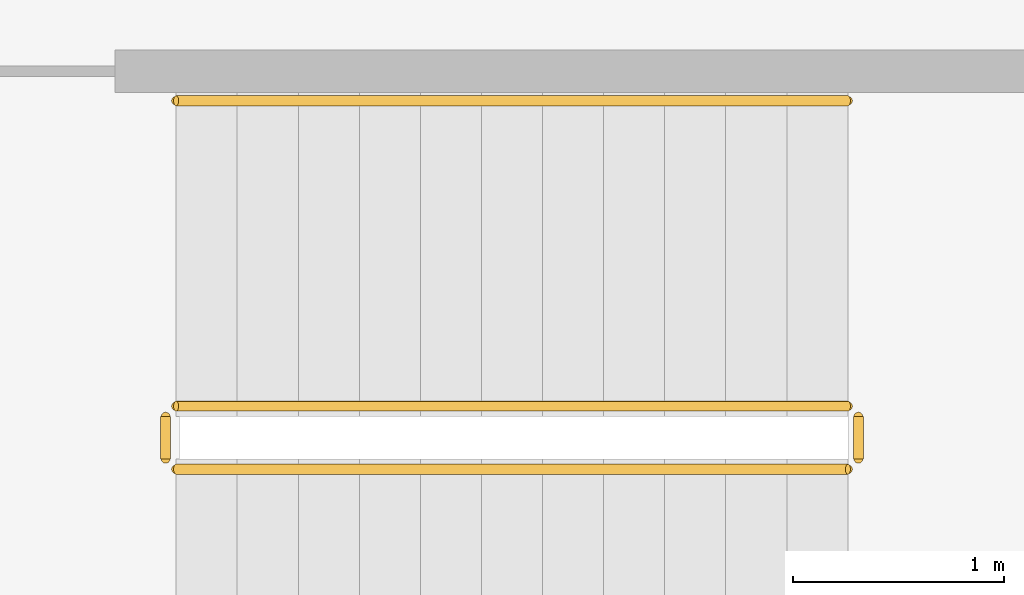
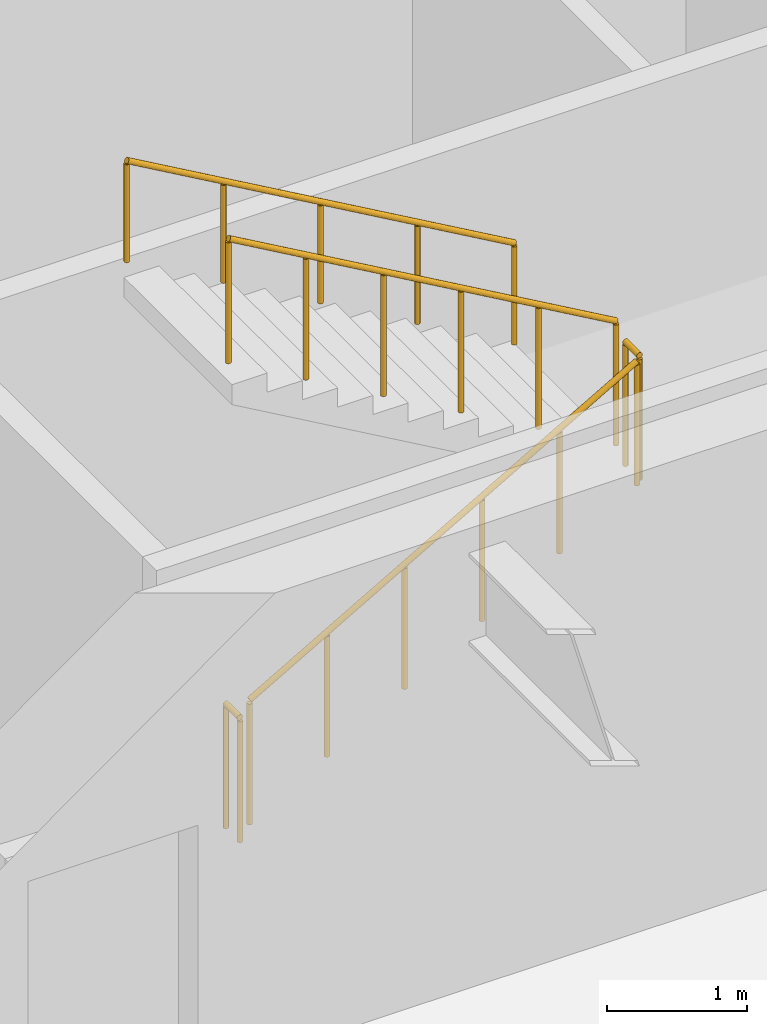
# One storey, part 19 of 20: 5 railings.
"""IFC4 building model written with IfcOpenShell, lengths in metres."""

import ifcopenshell
import ifcopenshell.guid

model = None  # the IFC model being written
_history = None  # IfcOwnerHistory: only IFC2X3 demands one
_inside = {}  # id of a spatial element -> (the spatial element, [elements in it])
_under = {}  # id of a project, library or spatial element -> (it, [spatial elements below it])
_declared = {}  # id of a project -> (the project, [libraries it declares])
_typed = {}  # id of a type object -> (the type object, [elements of that type])
_made_of = {}  # id of a material, layer set ... -> (it, [elements and type objects made of it])


def new_model(schema):
    """Start an empty IFC model of exactly this schema.

    Asked for "IFC4X3", IfcOpenShell would pick the latest addendum, in which some entities
    have other attributes; the version numbers below select the first issue.
    IFC2X3 requires an IfcOwnerHistory on every rooted entity: one is made here for all.
    """
    global model, _history
    if schema == "IFC4X3":
        model = ifcopenshell.file(schema_version=(4, 3, 0, 0))
    else:
        model = ifcopenshell.file(schema=schema)
    _inside.clear()
    _under.clear()
    _declared.clear()
    _typed.clear()
    _made_of.clear()
    _history = None
    if model.schema == "IFC2X3":
        org = make("IfcOrganization", Name="unknown")
        user = make(
            "IfcPersonAndOrganization",
            ThePerson=make("IfcPerson", FamilyName="unknown"),
            TheOrganization=org,
        )
        app = make(
            "IfcApplication",
            ApplicationDeveloper=org,
            Version="unknown",
            ApplicationFullName="unknown",
            ApplicationIdentifier="unknown",
        )
        _history = make(
            "IfcOwnerHistory",
            OwningUser=user,
            OwningApplication=app,
            ChangeAction="ADDED",
            CreationDate=0,
        )
    return model


def make(cls, **values):
    """One entity of the class cls with the attributes given. An attribute that is None is left unset."""
    return model.create_entity(
        cls, **{name: value for name, value in values.items() if value is not None}
    )


def rooted(cls, **values):
    """An entity with a GlobalId (a new one), such as an element, a storey or a relation."""
    return make(cls, GlobalId=ifcopenshell.guid.new(), OwnerHistory=_history, **values)


def si_unit(unit_type, name, prefix=None):
    """IfcSIUnit, for example si_unit("LENGTHUNIT", "METRE", prefix="MILLI")."""
    return make("IfcSIUnit", UnitType=unit_type, Prefix=prefix, Name=name)


def assignment(units):
    """IfcUnitAssignment: the units of a project."""
    return None if units is None else make("IfcUnitAssignment", Units=units)


def point(xyz):
    """IfcCartesianPoint."""
    return None if xyz is None else make("IfcCartesianPoint", Coordinates=xyz)


def direction(xyz):
    """IfcDirection."""
    return None if xyz is None else make("IfcDirection", DirectionRatios=xyz)


def frame(location, z_axis=None, x_axis=None):
    """IfcAxis2Placement3D, a coordinate frame: its origin and axes. An axis left out is left unset."""
    return make(
        "IfcAxis2Placement3D",
        Location=point(location),
        Axis=direction(z_axis),
        RefDirection=direction(x_axis),
    )


def frame_2d(location, x_axis=None):
    """IfcAxis2Placement2D, a coordinate frame in the plane: its origin and x axis."""
    return make(
        "IfcAxis2Placement2D", Location=point(location), RefDirection=direction(x_axis)
    )


def origin():
    """The frame at (0, 0, 0) with its axes left unset."""
    return frame((0.0, 0.0, 0.0))


def origin_2d():
    """The frame at (0, 0) in the plane with its x axis left unset."""
    return frame_2d((0.0, 0.0))


def place(relative_to, where):
    """IfcLocalPlacement: puts the frame where relative to a parent placement (None: the world)."""
    return make(
        "IfcLocalPlacement", PlacementRelTo=relative_to, RelativePlacement=where
    )


def context(
    kind, dimensions, precision=None, world=None, true_north=None, identifier=None
):
    """IfcGeometricRepresentationContext, for example the 3D "Model" context."""
    return make(
        "IfcGeometricRepresentationContext",
        ContextIdentifier=identifier,
        ContextType=kind,
        CoordinateSpaceDimension=dimensions,
        Precision=precision,
        WorldCoordinateSystem=world,
        TrueNorth=true_north,
    )


def subcontext(parent, identifier, kind, view, scale=None):
    """IfcGeometricRepresentationSubContext, for example "Body" below "Model"."""
    return make(
        "IfcGeometricRepresentationSubContext",
        ContextIdentifier=identifier,
        ContextType=kind,
        ParentContext=parent,
        TargetScale=scale,
        TargetView=view,
    )


def project(units=None, contexts=None):
    """IfcProject with its units and contexts."""
    return rooted(
        "IfcProject",
        Name="project",
        RepresentationContexts=contexts,
        UnitsInContext=assignment(units),
    )


def spatial(cls, under=None, at=None, **own):
    """A site, building, storey or space (cls), placed at a placement, below another one or the project."""
    s = rooted(cls, ObjectPlacement=at, **own)
    if under is not None:
        _under.setdefault(under.id(), (under, []))[1].append(s)
    return s


def profile(cls, at=None, kind="AREA", **sizes):
    """A parametric profile (cls). Its sizes go by their IFC names, for example OverallWidth=200.0."""
    return make(cls, ProfileType=kind, Position=at, **sizes)


def circle(**sizes):
    """IfcCircleProfileDef."""
    return profile("IfcCircleProfileDef", **sizes)


def extrude(swept, where, along, depth):
    """IfcExtrudedAreaSolid: the profile swept, set in the frame where, extruded along a direction by depth."""
    return make(
        "IfcExtrudedAreaSolid",
        SweptArea=swept,
        Position=where,
        ExtrudedDirection=direction(along),
        Depth=depth,
    )


def shape(context_of_items, identifier, shape_type, items):
    """IfcShapeRepresentation: the items that make up one representation, for example the "Body"."""
    return make(
        "IfcShapeRepresentation",
        ContextOfItems=context_of_items,
        RepresentationIdentifier=identifier,
        RepresentationType=shape_type,
        Items=items,
    )


def material(Name=None, Category=None):
    """IfcMaterial."""
    return make("IfcMaterial", Name=Name, Category=Category)


def made_of(thing, what):
    """Note that an element or type object is made of a material, layer set ...; save() writes the relation."""
    if what is not None:
        _made_of.setdefault(what.id(), (what, []))[1].append(thing)
    return thing


def type_object(cls, material=None, **own):
    """A type object (cls), such as IfcWallType, which elements share."""
    return made_of(rooted(cls, **own), material)


def element(
    cls,
    number,
    at=None,
    inside=None,
    cuts=None,
    type_object=None,
    material=None,
    context=None,
    identifier="Body",
    shape_type=None,
    held_by="IfcProductDefinitionShape",
    body=None,
    shapes=None,
    **own,
):
    """One element of the class cls, such as IfcWall. Its Tag is "e" and its number.

    at: its placement. inside: the storey or other place that contains it. cuts: it is an
    opening in that element (IfcRelVoidsElement). A single representation is given by context,
    identifier, shape_type and body (its items); several are given by shapes. held_by: the class
    of the entity that holds the representations. save() writes the other relations.
    """
    e = rooted(cls, Tag="e%d" % number, ObjectPlacement=at, **own)
    if body is not None:
        shapes = [shape(context, identifier, shape_type, body)]
    if shapes is not None:
        e.Representation = make(held_by, Representations=shapes)
    if inside is not None:
        _inside.setdefault(inside.id(), (inside, []))[1].append(e)
    if cuts is not None:
        rooted(
            "IfcRelVoidsElement", RelatingBuildingElement=cuts, RelatedOpeningElement=e
        )
    if type_object is not None:
        _typed.setdefault(type_object.id(), (type_object, []))[1].append(e)
    return made_of(e, material)


def aggregate(whole, parts):
    """IfcRelAggregates: a whole, such as a stair, and the parts it consists of."""
    return rooted("IfcRelAggregates", RelatingObject=whole, RelatedObjects=parts)


def save(model, path):
    """Write the relations noted so far, then the file.

    IfcRelAggregates (storeys below a building ...), IfcRelContainedInSpatialStructure (elements
    in a storey), IfcRelDefinesByType, IfcRelAssociatesMaterial and IfcRelDeclares: one each for
    every whole, place, type object, material and project.
    """
    for whole, parts in _under.values():
        aggregate(whole, parts)
    for where, things in _inside.values():
        rooted(
            "IfcRelContainedInSpatialStructure",
            RelatedElements=things,
            RelatingStructure=where,
        )
    for kind, things in _typed.values():
        rooted("IfcRelDefinesByType", RelatedObjects=things, RelatingType=kind)
    for what, things in _made_of.values():
        rooted("IfcRelAssociatesMaterial", RelatedObjects=things, RelatingMaterial=what)
    for by, libraries in _declared.values():
        rooted("IfcRelDeclares", RelatingContext=by, RelatedDefinitions=libraries)
    model.write(path)


model = new_model("IFC4")

# Units and contexts
model_context = context("Model", 3, precision=1e-05, world=origin(), true_north=direction((0.0, 1.0)))
body_context = subcontext(model_context, "Body", "Model", "MODEL_VIEW")
ifc_project = project(units=[si_unit("LENGTHUNIT", "METRE"), si_unit("AREAUNIT", "SQUARE_METRE"), si_unit("VOLUMEUNIT", "CUBIC_METRE"), si_unit("PLANEANGLEUNIT", "RADIAN"), si_unit("MASSUNIT", "GRAM", prefix="KILO")], contexts=[model_context])

# Site, building, storey
site_placement = place(None, origin())
site = spatial("IfcSite", under=ifc_project, at=site_placement, CompositionType="ELEMENT")
building_placement = place(site_placement, origin())
building = spatial("IfcBuilding", under=site, at=building_placement, Name="Putna Gate Headquarters", CompositionType="ELEMENT")
storey_placement = place(building_placement, frame((0.0, 0.0, 286.39990234375)))
storey = spatial("IfcBuildingStorey", under=building, at=storey_placement, Name="L72", CompositionType="ELEMENT", Elevation=286.39990234375)

# Railings
ifc_material_1 = material(Name="Powder-coated steel stair guardrail", Category="steel")
railing_type_1 = type_object("IfcRailingType", Name="RAIL-STAIR-GUARD-1100", PredefinedType="GUARDRAIL", material=ifc_material_1)
railing_1_placement = place(storey_placement, frame((57.89990234375, 21.10009765625, 0.166748046875)))
element("IfcRailing", 1, at=railing_1_placement, inside=storey, type_object=railing_type_1, Name="L72 ST2 stair guard 1", PredefinedType="GUARDRAIL", context=body_context, shape_type="SweptSolid", body=[
    extrude(circle(Radius=0.02392578125, at=origin_2d()), frame((0.0, 0.0, 1.076171875), z_axis=(0.8670360191, 0.0, 0.498245463184), x_axis=(0.0, 1.0, 0.0)), (0.0, 0.0, 1.0), 3.679443359375),
    extrude(circle(Radius=0.02099609375, at=origin_2d()), origin(), (0.0, 0.0, 1.0), 1.052001953125),
    extrude(circle(Radius=0.02099609375, at=origin_2d()), frame((0.637939453125, 0.0, 0.36669921875)), (0.0, 0.0, 1.0), 1.052001953125),
    extrude(circle(Radius=0.02099609375, at=origin_2d()), frame((1.276123046875, 0.0, 0.7333984375)), (0.0, 0.0, 1.0), 1.052001953125),
    extrude(circle(Radius=0.02099609375, at=origin_2d()), frame((1.9140625, 0.0, 1.099853515625)), (0.0, 0.0, 1.0), 1.052001953125),
    extrude(circle(Radius=0.02099609375, at=origin_2d()), frame((2.55224609375, 0.0, 1.466552734375)), (0.0, 0.0, 1.0), 1.052001953125),
    extrude(circle(Radius=0.02099609375, at=origin_2d()), frame((3.190185546875, 0.0, 1.833251953125)), (0.0, 0.0, 1.0), 1.052001953125),
])
railing_2_placement = place(storey_placement, frame((61.139892578125, 21.14990234375, 2.0)))
element("IfcRailing", 2, at=railing_2_placement, inside=storey, type_object=railing_type_1, Name="L72 ST2 stair guard 2", PredefinedType="GUARDRAIL", context=body_context, shape_type="SweptSolid", body=[
    extrude(circle(Radius=0.02392578125, at=origin_2d()), frame((0.0, 0.0, 1.076171875), z_axis=(0.0, 1.0, 0.0), x_axis=(-1.0, 0.0, 0.0)), (0.0, 0.0, 1.0), 0.2001953125),
    extrude(circle(Radius=0.02099609375, at=origin_2d()), origin(), (0.0, 0.0, 1.0), 1.052001953125),
    extrude(circle(Radius=0.02099609375, at=origin_2d()), frame((0.0, 0.2001953125, 0.0)), (0.0, 0.0, 1.0), 1.052001953125),
])
railing_3_placement = place(storey_placement, frame((61.090087890625, 21.39990234375, 2.166748046875)))
element("IfcRailing", 3, at=railing_3_placement, inside=storey, type_object=railing_type_1, Name="L72 ST2 stair guard 3", PredefinedType="GUARDRAIL", context=body_context, shape_type="SweptSolid", body=[
    extrude(circle(Radius=0.02392578125, at=origin_2d()), frame((0.0, 0.0, 1.076171875), z_axis=(-0.8670360191, 0.0, 0.498245463184), x_axis=(0.0, -1.0, 0.0)), (0.0, 0.0, 1.0), 3.679443359375),
    extrude(circle(Radius=0.02099609375, at=origin_2d()), origin(), (0.0, 0.0, 1.0), 1.052001953125),
    extrude(circle(Radius=0.02099609375, at=origin_2d()), frame((-0.637939453125, 0.0, 0.36669921875)), (0.0, 0.0, 1.0), 1.052001953125),
    extrude(circle(Radius=0.02099609375, at=origin_2d()), frame((-1.276123046875, 0.0, 0.7333984375)), (0.0, 0.0, 1.0), 1.052001953125),
    extrude(circle(Radius=0.02099609375, at=origin_2d()), frame((-1.9140625, 0.0, 1.099853515625)), (0.0, 0.0, 1.0), 1.052001953125),
    extrude(circle(Radius=0.02099609375, at=origin_2d()), frame((-2.55224609375, 0.0, 1.466552734375)), (0.0, 0.0, 1.0), 1.052001953125),
    extrude(circle(Radius=0.02099609375, at=origin_2d()), frame((-3.190185546875, 0.0, 1.833251953125)), (0.0, 0.0, 1.0), 1.052001953125),
])
railing_4_placement = place(storey_placement, frame((57.85009765625, 21.14990234375, 0.0)))
element("IfcRailing", 4, at=railing_4_placement, inside=storey, type_object=railing_type_1, Name="L72 ST2 stair guard 4", PredefinedType="GUARDRAIL", context=body_context, shape_type="SweptSolid", body=[
    extrude(circle(Radius=0.02392578125, at=origin_2d()), frame((0.0, 0.0, 1.076171875), z_axis=(0.0, 1.0, 0.0), x_axis=(-1.0, 0.0, 0.0)), (0.0, 0.0, 1.0), 0.2001953125),
    extrude(circle(Radius=0.02099609375, at=origin_2d()), origin(), (0.0, 0.0, 1.0), 1.052001953125),
    extrude(circle(Radius=0.02099609375, at=origin_2d()), frame((0.0, 0.2001953125, 0.0)), (0.0, 0.0, 1.0), 1.052001953125),
])
ifc_material_2 = material(Name="Brushed stainless steel handrail", Category="steel")
railing_type_2 = type_object("IfcRailingType", Name="RAIL-STAIR-HAND-900", PredefinedType="HANDRAIL", material=ifc_material_2)
railing_5_placement = place(storey_placement, frame((61.090087890625, 22.85009765625, 2.166748046875)))
element("IfcRailing", 5, at=railing_5_placement, inside=storey, type_object=railing_type_2, Name="L72 ST2 stair handrail 2", PredefinedType="HANDRAIL", context=body_context, shape_type="SweptSolid", body=[
    extrude(circle(Radius=0.02392578125, at=origin_2d()), frame((0.0, 0.0, 0.8759765625), z_axis=(-0.8670360191, 0.0, 0.498245463184), x_axis=(0.0, -1.0, 0.0)), (0.0, 0.0, 1.0), 3.679443359375),
    extrude(circle(Radius=0.02099609375, at=origin_2d()), origin(), (0.0, 0.0, 1.0), 0.851806640625),
    extrude(circle(Radius=0.02099609375, at=origin_2d()), frame((-0.797607421875, 0.0, 0.458251953125)), (0.0, 0.0, 1.0), 0.851806640625),
    extrude(circle(Radius=0.02099609375, at=origin_2d()), frame((-1.59521484375, 0.0, 0.91650390625)), (0.0, 0.0, 1.0), 0.851806640625),
    extrude(circle(Radius=0.02099609375, at=origin_2d()), frame((-2.392578125, 0.0, 1.375)), (0.0, 0.0, 1.0), 0.851806640625),
    extrude(circle(Radius=0.02099609375, at=origin_2d()), frame((-3.190185546875, 0.0, 1.833251953125)), (0.0, 0.0, 1.0), 0.851806640625),
])

save(model, "model.ifc")
